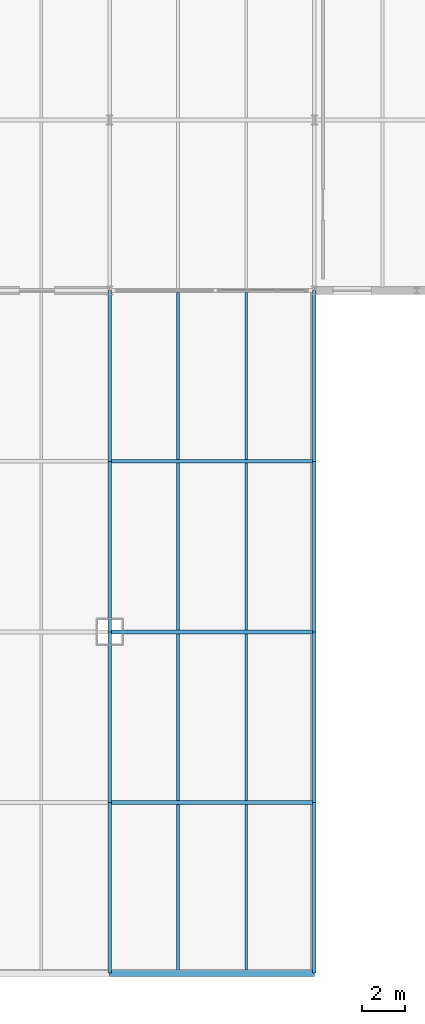
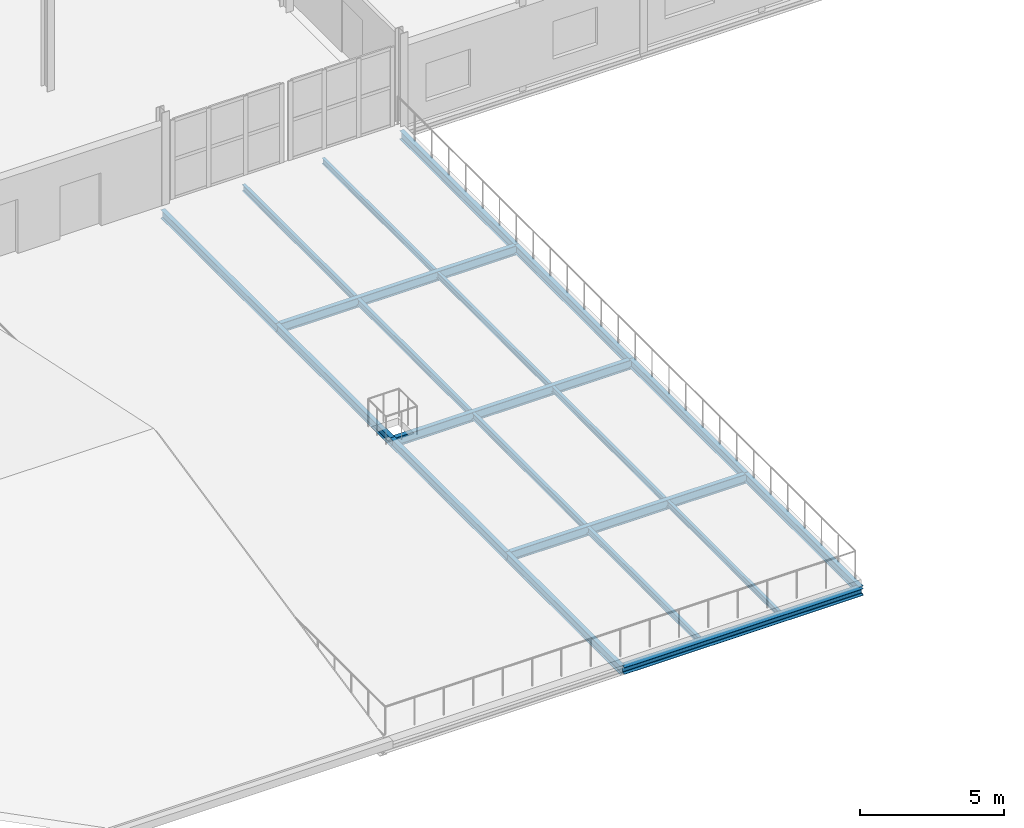
# One storey, part 39 of 85: 20 beams.
"""IFC4 building model written with IfcOpenShell, lengths in metres."""

from ifc_helpers import new_model, si_unit, direction, frame, origin, origin_2d, place, context, subcontext, project, spatial, i_section, extrude, material, material_profile, profile_set, type_object, element, save


model = new_model("IFC4")

# Units and contexts
model_context = context("Model", 3, precision=1e-05, world=origin(), true_north=direction((0.0, 1.0)))
body_context = subcontext(model_context, "Body", "Model", "MODEL_VIEW")
ifc_project = project(units=[si_unit("LENGTHUNIT", "METRE"), si_unit("AREAUNIT", "SQUARE_METRE"), si_unit("VOLUMEUNIT", "CUBIC_METRE"), si_unit("PLANEANGLEUNIT", "RADIAN"), si_unit("MASSUNIT", "GRAM", prefix="KILO")], contexts=[model_context])

# Site, building, storey
site_placement = place(None, origin())
site = spatial("IfcSite", under=ifc_project, at=site_placement, CompositionType="ELEMENT")
building_placement = place(site_placement, origin())
building = spatial("IfcBuilding", under=site, at=building_placement, Name="Alderhovde Museum", CompositionType="ELEMENT")
storey_placement = place(building_placement, frame((0.0, 0.0, 8.699951171875)))
storey = spatial("IfcBuildingStorey", under=building, at=storey_placement, Name="L02", CompositionType="ELEMENT", Elevation=8.699951171875)

# Beams
ifc_material_1 = material(Name="Steel S355J2", Category="steel")
ifc_material_profile_1 = material_profile(ifc_material_1, i_section(OverallWidth=0.169921875, OverallDepth=0.360107421875, WebThickness=0.008056640625, FlangeThickness=0.0126953125, FilletRadius=0.01806640625, at=origin_2d()), Name="IPE 360")
ifc_profile_set_1 = profile_set([ifc_material_profile_1], Name="Steel S355J2")
beam_type_1 = type_object("IfcBeamType", Name="BM-IPE360", PredefinedType="BEAM", material=ifc_profile_set_1)
for number, where, z_axis, x_axis, name in (
    (1, (105.60009765625, 0.0, -0.47998046875), (0.0, 1.0, 0.0), (-1.0, 0.0, 0.0), "L02 Grid Beam X=105.6 (0.0 TO 8.0)"),
    (2, (105.60009765625, 8.0, -0.47998046875), (0.0, 1.0, 0.0), (-1.0, 0.0, 0.0), "L02 Grid Beam X=105.6 (8.0 TO 16.0)"),
    (3, (105.60009765625, 16.0, -0.47998046875), (0.0, 1.0, 0.0), (-1.0, 0.0, 0.0), "L02 Grid Beam X=105.6 (16.0 TO 24.0)"),
    (4, (105.60009765625, 24.0, -0.47998046875), (0.0, 1.0, 0.0), (-1.0, 0.0, 0.0), "L02 Grid Beam X=105.6 (24.0 TO 32.0)"),
    (5, (115.199951171875, 0.0, -0.47998046875), (0.0, 1.0, 0.0), (-1.0, 0.0, 0.0), "L02 Grid Beam X=115.2 (0.0 TO 8.0)"),
    (6, (115.199951171875, 8.0, -0.47998046875), (0.0, 1.0, 0.0), (-1.0, 0.0, 0.0), "L02 Grid Beam X=115.2 (8.0 TO 16.0)"),
    (7, (115.199951171875, 16.0, -0.47998046875), (0.0, 1.0, 0.0), (-1.0, 0.0, 0.0), "L02 Grid Beam X=115.2 (16.0 TO 24.0)"),
    (8, (115.199951171875, 24.0, -0.47998046875), (0.0, 1.0, 0.0), (-1.0, 0.0, 0.0), "L02 Grid Beam X=115.2 (24.0 TO 32.0)"),
):
    element("IfcBeam", number, at=place(storey_placement, frame(where, z_axis=z_axis, x_axis=x_axis)), inside=storey, type_object=beam_type_1, Name=name, PredefinedType="BEAM", context=body_context, shape_type="SweptSolid", body=[
        extrude(i_section(OverallWidth=0.169921875, OverallDepth=0.360107421875, WebThickness=0.008056640625, FlangeThickness=0.0126953125, FilletRadius=0.01806640625, at=origin_2d()), origin(), (0.0, 0.0, 1.0), 8.0),
    ])
ifc_material_2 = material(Name="Steel S355J2", Category="steel")
ifc_material_profile_2 = material_profile(ifc_material_2, i_section(OverallWidth=0.179931640625, OverallDepth=0.39990234375, WebThickness=0.008544921875, FlangeThickness=0.013427734375, FilletRadius=0.02099609375, at=origin_2d()), Name="IPE 400")
ifc_profile_set_2 = profile_set([ifc_material_profile_2], Name="Steel S355J2")
beam_type_2 = type_object("IfcBeamType", Name="BM-IPE400", PredefinedType="BEAM", material=ifc_profile_set_2)
for number, where, z_axis, x_axis, name in (
    (9, (105.60009765625, 8.0, -0.5), (1.0, 0.0, 0.0), (0.0, 1.0, 0.0), "L02 Grid Beam Y=8.0 (105.6 TO 115.2)"),
    (10, (105.60009765625, 16.0, -0.5), (1.0, 0.0, 0.0), (0.0, 1.0, 0.0), "L02 Grid Beam Y=16.0 (105.6 TO 115.2)"),
    (11, (105.60009765625, 24.0, -0.5), (1.0, 0.0, 0.0), (0.0, 1.0, 0.0), "L02 Grid Beam Y=24.0 (105.6 TO 115.2)"),
):
    element("IfcBeam", number, at=place(storey_placement, frame(where, z_axis=z_axis, x_axis=x_axis)), inside=storey, type_object=beam_type_2, Name=name, PredefinedType="BEAM", context=body_context, shape_type="SweptSolid", body=[
        extrude(i_section(OverallWidth=0.179931640625, OverallDepth=0.39990234375, WebThickness=0.008544921875, FlangeThickness=0.013427734375, FilletRadius=0.02099609375, at=origin_2d()), origin(), (0.0, 0.0, 1.0), 9.599853515625),
    ])
ifc_material_3 = material(Name="Steel S355J2", Category="steel")
ifc_material_profile_3 = material_profile(ifc_material_3, i_section(OverallWidth=0.1201171875, OverallDepth=0.239990234375, WebThickness=0.006103515625, FlangeThickness=0.009765625, FilletRadius=0.014892578125, at=origin_2d()), Name="IPE 240")
ifc_profile_set_3 = profile_set([ifc_material_profile_3], Name="Steel S355J2")
beam_type_3 = type_object("IfcBeamType", Name="JST-IPE240", PredefinedType="JOIST", material=ifc_profile_set_3)
beam_1_placement = place(storey_placement, frame((112.0, 0.14990234375, -0.419921875), z_axis=(0.0, 1.0, 0.0), x_axis=(-1.0, 0.0, 0.0)))
element("IfcBeam", 12, at=beam_1_placement, inside=storey, type_object=beam_type_3, Name="L02 Composite Joist X=112.0 (0.0 TO 8.0)", PredefinedType="JOIST", context=body_context, shape_type="SweptSolid", body=[
    extrude(i_section(OverallWidth=0.1201171875, OverallDepth=0.239990234375, WebThickness=0.006103515625, FlangeThickness=0.009765625, FilletRadius=0.014892578125, at=origin_2d()), origin(), (0.0, 0.0, 1.0), 7.760009765625),
])
for number, where, z_axis, x_axis, name in (
    (13, (112.0, 8.090087890625, -0.419921875), (0.0, 1.0, 0.0), (-1.0, 0.0, 0.0), "L02 Composite Joist X=112.0 (8.0 TO 16.0)"),
    (14, (112.0, 16.090087890625, -0.419921875), (0.0, 1.0, 0.0), (-1.0, 0.0, 0.0), "L02 Composite Joist X=112.0 (16.0 TO 24.0)"),
    (15, (112.0, 24.090087890625, -0.419921875), (0.0, 1.0, 0.0), (-1.0, 0.0, 0.0), "L02 Composite Joist X=112.0 (24.0 TO 32.0)"),
):
    element("IfcBeam", number, at=place(storey_placement, frame(where, z_axis=z_axis, x_axis=x_axis)), inside=storey, type_object=beam_type_3, Name=name, PredefinedType="JOIST", context=body_context, shape_type="SweptSolid", body=[
        extrude(i_section(OverallWidth=0.1201171875, OverallDepth=0.239990234375, WebThickness=0.006103515625, FlangeThickness=0.009765625, FilletRadius=0.014892578125, at=origin_2d()), origin(), (0.0, 0.0, 1.0), 7.81982421875),
    ])
ifc_material_4 = material(Name="Steel S355J2", Category="steel")
ifc_material_profile_4 = material_profile(ifc_material_4, i_section(OverallWidth=0.135009765625, OverallDepth=0.27001953125, WebThickness=0.006591796875, FlangeThickness=0.01025390625, FilletRadius=0.014892578125, at=origin_2d()), Name="IPE 270")
ifc_profile_set_4 = profile_set([ifc_material_profile_4], Name="Steel S355J2")
beam_type_4 = type_object("IfcBeamType", Name="JST-IPE270", PredefinedType="JOIST", material=ifc_profile_set_4)
beam_2_placement = place(storey_placement, frame((108.800048828125, 0.14990234375, -0.43505859375), z_axis=(0.0, 1.0, 0.0), x_axis=(-1.0, 0.0, 0.0)))
element("IfcBeam", 16, at=beam_2_placement, inside=storey, type_object=beam_type_4, Name="L02 Composite Joist X=108.8 (0.0 TO 8.0)", PredefinedType="JOIST", context=body_context, shape_type="SweptSolid", body=[
    extrude(i_section(OverallWidth=0.135009765625, OverallDepth=0.27001953125, WebThickness=0.006591796875, FlangeThickness=0.01025390625, FilletRadius=0.014892578125, at=origin_2d()), origin(), (0.0, 0.0, 1.0), 7.760009765625),
])
for number, where, z_axis, x_axis, name in (
    (17, (108.800048828125, 8.090087890625, -0.43505859375), (0.0, 1.0, 0.0), (-1.0, 0.0, 0.0), "L02 Composite Joist X=108.8 (8.0 TO 16.0)"),
    (18, (108.800048828125, 16.090087890625, -0.43505859375), (0.0, 1.0, 0.0), (-1.0, 0.0, 0.0), "L02 Composite Joist X=108.8 (16.0 TO 24.0)"),
    (19, (108.800048828125, 24.090087890625, -0.43505859375), (0.0, 1.0, 0.0), (-1.0, 0.0, 0.0), "L02 Composite Joist X=108.8 (24.0 TO 32.0)"),
):
    element("IfcBeam", number, at=place(storey_placement, frame(where, z_axis=z_axis, x_axis=x_axis)), inside=storey, type_object=beam_type_4, Name=name, PredefinedType="JOIST", context=body_context, shape_type="SweptSolid", body=[
        extrude(i_section(OverallWidth=0.135009765625, OverallDepth=0.27001953125, WebThickness=0.006591796875, FlangeThickness=0.01025390625, FilletRadius=0.014892578125, at=origin_2d()), origin(), (0.0, 0.0, 1.0), 7.81982421875),
    ])
ifc_material_5 = material(Name="Steel S355J2", Category="steel")
ifc_material_profile_5 = material_profile(ifc_material_5, i_section(OverallWidth=0.300048828125, OverallDepth=0.2900390625, WebThickness=0.008544921875, FlangeThickness=0.013916015625, FilletRadius=0.027099609375, at=origin_2d()), Name="HEA 300")
ifc_profile_set_5 = profile_set([ifc_material_profile_5], Name="Steel S355J2")
beam_type_5 = type_object("IfcBeamType", Name="SPD-HEA300", PredefinedType="SPANDREL", material=ifc_profile_set_5)
beam_3_placement = place(storey_placement, frame((105.60009765625, 0.0, -0.445068359375), z_axis=(1.0, 0.0, 0.0), x_axis=(0.0, 1.0, 0.0)))
element("IfcBeam", 20, at=beam_3_placement, inside=storey, type_object=beam_type_5, Name="L02 Grid Beam Y=0.0 (105.6 TO 115.2)", PredefinedType="SPANDREL", context=body_context, shape_type="SweptSolid", body=[
    extrude(i_section(OverallWidth=0.300048828125, OverallDepth=0.2900390625, WebThickness=0.008544921875, FlangeThickness=0.013916015625, FilletRadius=0.027099609375, at=origin_2d()), origin(), (0.0, 0.0, 1.0), 9.599853515625),
])

save(model, "model.ifc")
